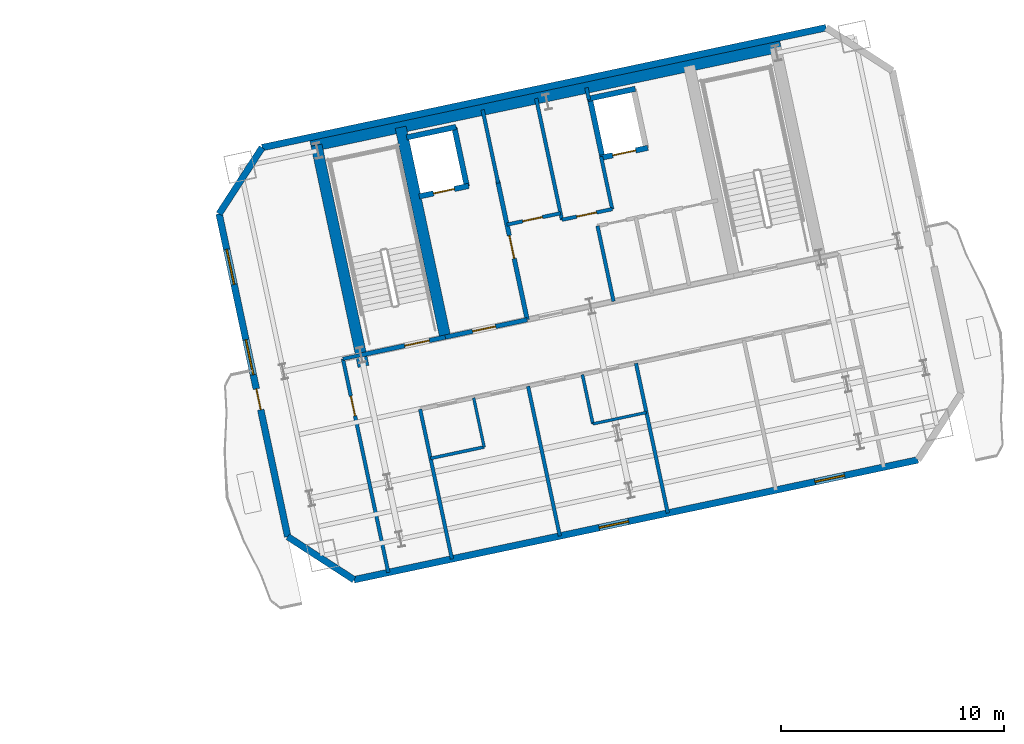
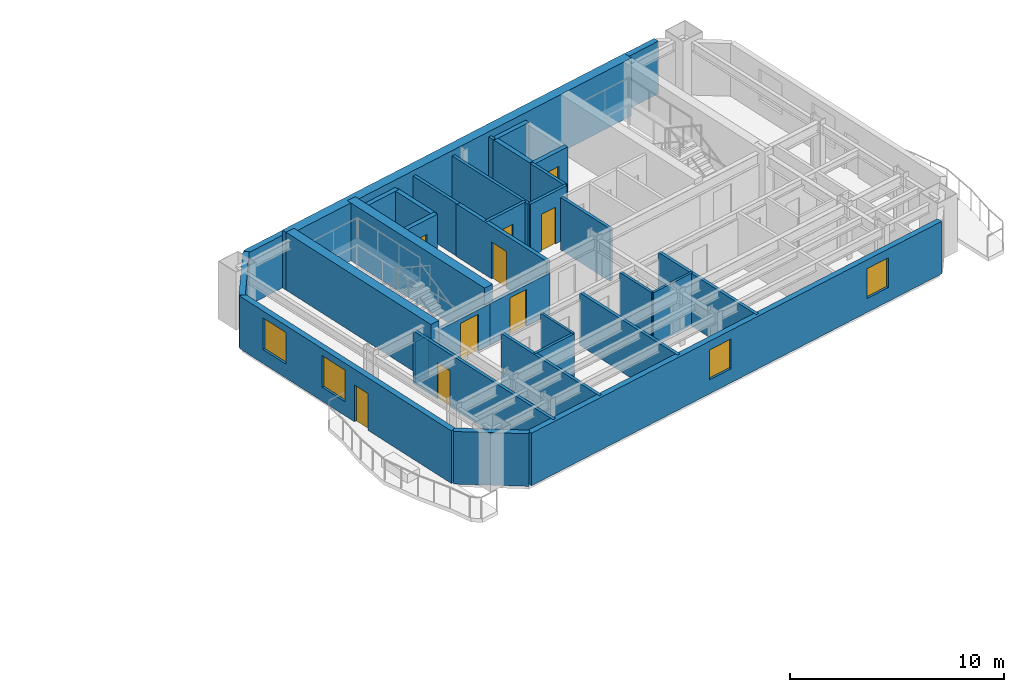
# One storey, part 7 of 13: 33 walls, 9 doors, 4 windows, 13 openings.
"""IFC4 building model written with IfcOpenShell, lengths in metres."""

from ifc_helpers import new_model, si_unit, direction, frame, frame_2d, origin, place, context, subcontext, project, spatial, rectangle, extrude, material, layer, layer_set, type_object, element, fill, save


model = new_model("IFC4")

# Units and contexts
model_context = context("Model", 3, precision=1e-05, world=origin(), true_north=direction((0.0, 1.0)))
body_context = subcontext(model_context, "Body", "Model", "MODEL_VIEW")
ifc_project = project(units=[si_unit("LENGTHUNIT", "METRE"), si_unit("AREAUNIT", "SQUARE_METRE"), si_unit("VOLUMEUNIT", "CUBIC_METRE"), si_unit("PLANEANGLEUNIT", "RADIAN"), si_unit("MASSUNIT", "GRAM", prefix="KILO")], contexts=[model_context])

# Site, building, storey
site_placement = place(None, origin())
site = spatial("IfcSite", under=ifc_project, at=site_placement, CompositionType="ELEMENT")
building_placement = place(site_placement, origin())
building = spatial("IfcBuilding", under=site, at=building_placement, Name="Haevon Station Towers", CompositionType="ELEMENT")
storey_placement = place(building_placement, frame((0.0, 0.0, 189.0)))
storey = spatial("IfcBuildingStorey", under=building, at=storey_placement, Name="L52", CompositionType="ELEMENT", Elevation=189.0)

# Wall, opening, door
ifc_material_1 = material(Name="Gypsum board on steel stud", Category="steel")
ifc_layer_1 = layer(ifc_material_1, 0.199951171875)
ifc_layer_set_1 = layer_set([ifc_layer_1], Name="Gypsum board on steel stud")
wall_type_1 = type_object("IfcWallType", Name="WL-COR200", PredefinedType="PARTITIONING", material=ifc_layer_set_1)
wall_1_placement = place(storey_placement, frame((98.75244140625, 37.4423828125, 0.0), z_axis=(0.0, 0.0, 1.0), x_axis=(0.978143537786, 0.207930804564, 0.0)))
wall_1 = element("IfcWall", 1, at=wall_1_placement, inside=storey, type_object=wall_type_1, Name="WL-ST-ST3-L52", PredefinedType="PARTITIONING", context=body_context, shape_type="SweptSolid", body=[
    extrude(rectangle(XDim=3.85009765625, YDim=0.199951171875, at=frame_2d((1.925048828125, 0.0))), origin(), (0.0, 0.0, 1.0), 2.35009765625),
])
opening_1_placement = place(wall_1_placement, frame((2.0, 0.0, 0.0)))
opening_1 = element("IfcOpeningElement", 2, at=opening_1_placement, cuts=wall_1, Name="Opening DR-ST-ST3-L52", PredefinedType="OPENING", context=body_context, shape_type="SweptSolid", body=[
    extrude(rectangle(XDim=1.1201171875, YDim=2.10009765625, at=frame_2d((0.56005859375, 1.050048828125))), frame((0.0, 0.10986328125, 0.0), z_axis=(0.0, -1.0, 0.0), x_axis=(1.0, 0.0, 0.0)), (0.0, 0.0, 1.0), 0.219970703125),
])
ifc_material_2 = material(Name="Engineered oak timber", Category="wood")
door_type_1 = type_object("IfcDoorType", Name="DR-ST-1120", OperationType="NOTDEFINED", PredefinedType="DOOR", material=ifc_material_2)
door_1_placement = place(opening_1_placement, origin())
door_1 = element("IfcDoor", 3, at=door_1_placement, inside=storey, type_object=door_type_1, Name="L52 Escape Stair ST3 Fire Door", OperationType="SINGLE_SWING_RIGHT", OverallHeight=2.10009765625, OverallWidth=1.1201171875, PredefinedType="DOOR", context=body_context, shape_type="SweptSolid", body=[
    extrude(rectangle(XDim=1.1201171875, YDim=2.10009765625, at=frame_2d((0.56005859375, 1.050048828125))), frame((0.0, 0.02490234375, 0.0), z_axis=(0.0, -1.0, 0.0), x_axis=(1.0, 0.0, 0.0)), (0.0, 0.0, 1.0), 0.050048828125),
])
fill(opening_1, door_1)

wall_2_placement = place(storey_placement, frame((106.186279296875, 39.0224609375, 0.0), z_axis=(0.0, 0.0, 1.0), x_axis=(-0.207916691923, 0.978146537703, 0.0)))
wall_2 = element("IfcWall", 4, at=wall_2_placement, inside=storey, type_object=wall_type_1, Name="WL-T2FFL-L52-E", PredefinedType="PARTITIONING", context=body_context, shape_type="SweptSolid", body=[
    extrude(rectangle(XDim=6.35009765625, YDim=0.199951171875, at=frame_2d((3.175048828125, 0.0))), origin(), (0.0, 0.0, 1.0), 3.0),
])
opening_2_placement = place(wall_2_placement, frame((2.800048828125, 0.0, 0.0)))
opening_2 = element("IfcOpeningElement", 5, at=opening_2_placement, cuts=wall_2, Name="Opening DR-T2FFL-L52-E", PredefinedType="OPENING", context=body_context, shape_type="SweptSolid", body=[
    extrude(rectangle(XDim=1.050048828125, YDim=2.10009765625, at=frame_2d((0.52490234375, 1.050048828125))), frame((0.0, 0.10986328125, 0.0), z_axis=(0.0, -1.0, 0.0), x_axis=(1.0, 0.0, 0.0)), (0.0, 0.0, 1.0), 0.219970703125),
])
door_type_2 = type_object("IfcDoorType", Name="DR-FD60-1050", OperationType="NOTDEFINED", PredefinedType="DOOR", material=ifc_material_2)
door_2_placement = place(opening_2_placement, origin())
door_2 = element("IfcDoor", 6, at=door_2_placement, inside=storey, type_object=door_type_2, Name="L52 Tower 2 Firefighting Lift Lobby Door E", OperationType="SINGLE_SWING_RIGHT", OverallHeight=2.10009765625, OverallWidth=1.050048828125, PredefinedType="DOOR", context=body_context, shape_type="SweptSolid", body=[
    extrude(rectangle(XDim=1.050048828125, YDim=2.10009765625, at=frame_2d((0.52490234375, 1.050048828125))), frame((0.0, 0.02490234375, 0.0), z_axis=(0.0, -1.0, 0.0), x_axis=(1.0, 0.0, 0.0)), (0.0, 0.0, 1.0), 0.050048828125),
])
fill(opening_2, door_2)

wall_3_placement = place(storey_placement, frame((102.518310546875, 38.242919921875, 0.0), z_axis=(0.0, 0.0, 1.0), x_axis=(0.978153555683, 0.20788367301, 0.0)))
wall_3 = element("IfcWall", 7, at=wall_3_placement, inside=storey, type_object=wall_type_1, Name="WL-T2FFL-L52-S", PredefinedType="PARTITIONING", context=body_context, shape_type="SweptSolid", body=[
    extrude(rectangle(XDim=3.75, YDim=0.199951171875, at=frame_2d((1.875, 0.0))), origin(), (0.0, 0.0, 1.0), 2.35009765625),
])
opening_3_placement = place(wall_3_placement, frame((1.25, 0.0, 0.0)))
opening_3 = element("IfcOpeningElement", 8, at=opening_3_placement, cuts=wall_3, Name="Opening DR-T2FFL-L52-S", PredefinedType="OPENING", context=body_context, shape_type="SweptSolid", body=[
    extrude(rectangle(XDim=1.050048828125, YDim=2.10009765625, at=frame_2d((0.52490234375, 1.050048828125))), frame((0.0, 0.10986328125, 0.0), z_axis=(0.0, -1.0, 0.0), x_axis=(1.0, 0.0, 0.0)), (0.0, 0.0, 1.0), 0.219970703125),
])
door_3_placement = place(opening_3_placement, origin())
door_3 = element("IfcDoor", 9, at=door_3_placement, inside=storey, type_object=door_type_2, Name="L52 Tower 2 Firefighting Lift Lobby Door S", OperationType="SINGLE_SWING_LEFT", OverallHeight=2.10009765625, OverallWidth=1.050048828125, PredefinedType="DOOR", context=body_context, shape_type="SweptSolid", body=[
    extrude(rectangle(XDim=1.050048828125, YDim=2.10009765625, at=frame_2d((0.52490234375, 1.050048828125))), frame((0.0, 0.02490234375, 0.0), z_axis=(0.0, -1.0, 0.0), x_axis=(1.0, 0.0, 0.0)), (0.0, 0.0, 1.0), 0.050048828125),
])
fill(opening_3, door_3)

# Walls
ifc_material_3 = material(Name="Concrete C60/75", Category="concrete")
ifc_layer_2 = layer(ifc_material_3, 0.5)
ifc_layer_set_2 = layer_set([ifc_layer_2], Name="Concrete C60/75")
wall_type_2 = type_object("IfcWallType", Name="WL-CR500", PredefinedType="SHEAR", material=ifc_layer_set_2)
wall_4_placement = place(storey_placement, frame((96.511962890625, 46.78076171875, 0.0), z_axis=(0.0, 0.0, 1.0), x_axis=(0.978148546782, 0.207907239961, 0.0)))
element("IfcWall", 10, at=wall_4_placement, inside=storey, type_object=wall_type_2, Name="WL-T2CR-L52-N", PredefinedType="SHEAR", context=body_context, shape_type="SweptSolid", body=[
    extrude(rectangle(XDim=21.499755859375, YDim=0.5, at=frame_2d((10.75, 0.0))), origin(), (0.0, 0.0, 1.0), 3.300048828125),
])
wall_5_placement = place(storey_placement, frame((98.8603515625, 36.933837890625, 0.0), z_axis=(0.0, 0.0, 1.0), x_axis=(-0.20790924889, 0.978148119778, 0.0)))
element("IfcWall", 11, at=wall_5_placement, inside=storey, type_object=wall_type_2, Name="WL-T2CR-L52-W", PredefinedType="SHEAR", context=body_context, shape_type="SweptSolid", body=[
    extrude(rectangle(XDim=10.119873046875, YDim=0.5, at=frame_2d((5.06005859375, 0.0))), origin(), (0.0, 0.0, 1.0), 3.300048828125),
])
wall_6_placement = place(storey_placement, frame((102.518310546875, 38.242919921875, 0.0), z_axis=(0.0, 0.0, 1.0), x_axis=(-0.207927495108, 0.978144241295, 0.0)))
element("IfcWall", 12, at=wall_6_placement, inside=storey, type_object=wall_type_2, Name="WL-T2CR-L52-M1", PredefinedType="SHEAR", context=body_context, shape_type="SweptSolid", body=[
    extrude(rectangle(XDim=9.599853515625, YDim=0.5, at=frame_2d((4.7998046875, 0.0))), origin(), (0.0, 0.0, 1.0), 3.300048828125),
])

# Wall, openings, windows
ifc_material_4 = material(Name="Precast concrete C45/55", Category="concrete")
ifc_layer_3 = layer(ifc_material_4, 0.300048828125)
ifc_layer_set_3 = layer_set([ifc_layer_3], Name="Precast concrete C45/55")
wall_type_3 = type_object("IfcWallType", Name="WL-EXT-PIER300", PredefinedType="SOLIDWALL", material=ifc_layer_set_3)
wall_7_placement = place(storey_placement, frame((123.67236328125, 32.7509765625, 0.0), z_axis=(0.0, 0.0, 1.0), x_axis=(-0.978148652743, -0.207906741442, 0.0)))
wall_7 = element("IfcWall", 13, at=wall_7_placement, inside=storey, type_object=wall_type_3, Name="WL-T2-L52-S", PredefinedType="SOLIDWALL", context=body_context, shape_type="SweptSolid", body=[
    extrude(rectangle(XDim=25.800048828125, YDim=0.300048828125, at=frame_2d((12.89990234375, 0.0))), origin(), (0.0, 0.0, 1.0), 3.0),
])
opening_4_placement = place(wall_7_placement, frame((13.23876953125, 0.0, 0.800048828125)))
opening_4 = element("IfcOpeningElement", 14, at=opening_4_placement, cuts=wall_7, Name="Opening WN-P135", PredefinedType="OPENING", context=body_context, shape_type="SweptSolid", body=[
    extrude(rectangle(XDim=1.35009765625, YDim=1.699951171875, at=frame_2d((0.675048828125, 0.85009765625))), frame((0.0, 0.159912109375, 0.0), z_axis=(0.0, -1.0, 0.0), x_axis=(1.0, 0.0, 0.0)), (0.0, 0.0, 1.0), 0.320068359375),
])
opening_5_placement = place(wall_7_placement, frame((3.36376953125, 0.0, 0.800048828125)))
opening_5 = element("IfcOpeningElement", 15, at=opening_5_placement, cuts=wall_7, Name="Opening WN-P135", PredefinedType="OPENING", context=body_context, shape_type="SweptSolid", body=[
    extrude(rectangle(XDim=1.35009765625, YDim=1.699951171875, at=frame_2d((0.675048828125, 0.85009765625))), frame((0.0, 0.159912109375, 0.0), z_axis=(0.0, -1.0, 0.0), x_axis=(1.0, 0.0, 0.0)), (0.0, 0.0, 1.0), 0.320068359375),
])
ifc_material_5 = material(Name="Low-E triple glazing in thermally broken aluminium", Category="aluminium")
window_type_1 = type_object("IfcWindowType", Name="WN-P135", PartitioningType="SINGLE_PANEL", PredefinedType="WINDOW", material=ifc_material_5)
window_1_placement = place(opening_4_placement, origin())
window_1 = element("IfcWindow", 16, at=window_1_placement, inside=storey, type_object=window_type_1, Name="WN-T2-L52-S01", OverallHeight=1.699951171875, OverallWidth=1.35009765625, PartitioningType="SINGLE_PANEL", PredefinedType="WINDOW", context=body_context, shape_type="SweptSolid", body=[
    extrude(rectangle(XDim=1.35009765625, YDim=1.699951171875, at=frame_2d((0.675048828125, 0.85009765625))), frame((0.0, 0.030029296875, 0.0), z_axis=(0.0, -1.0, 0.0), x_axis=(1.0, 0.0, 0.0)), (0.0, 0.0, 1.0), 0.06005859375),
])
fill(opening_4, window_1)
window_2_placement = place(opening_5_placement, origin())
window_2 = element("IfcWindow", 17, at=window_2_placement, inside=storey, type_object=window_type_1, Name="WN-T2-L52-S02", OverallHeight=1.699951171875, OverallWidth=1.35009765625, PartitioningType="SINGLE_PANEL", PredefinedType="WINDOW", context=body_context, shape_type="SweptSolid", body=[
    extrude(rectangle(XDim=1.35009765625, YDim=1.699951171875, at=frame_2d((0.675048828125, 0.85009765625))), frame((0.0, 0.030029296875, 0.0), z_axis=(0.0, -1.0, 0.0), x_axis=(1.0, 0.0, 0.0)), (0.0, 0.0, 1.0), 0.06005859375),
])
fill(opening_5, window_2)

# Wall
wall_8_placement = place(storey_placement, frame((98.43603515625, 27.386962890625, 0.0), z_axis=(0.0, 0.0, 1.0), x_axis=(-0.838672309694, 0.544636352948, 0.0)))
element("IfcWall", 18, at=wall_8_placement, inside=storey, type_object=wall_type_3, Name="WL-T2-L52-SWC", PredefinedType="SOLIDWALL", context=body_context, shape_type="SweptSolid", body=[
    extrude(rectangle(XDim=3.535400390625, YDim=0.300048828125, at=frame_2d((1.767578125, 0.0))), origin(), (0.0, 0.0, 1.0), 3.0),
])

# Wall, openings, door, windows
wall_9_placement = place(storey_placement, frame((95.470947265625, 29.3125, 0.0), z_axis=(0.0, 0.0, 1.0), x_axis=(-0.207907783045, 0.978148431348, 0.0)))
wall_9 = element("IfcWall", 19, at=wall_9_placement, inside=storey, type_object=wall_type_3, Name="WL-T2-L52-W", PredefinedType="SOLIDWALL", context=body_context, shape_type="SweptSolid", body=[
    extrude(rectangle(XDim=14.77001953125, YDim=0.300048828125, at=frame_2d((7.385009765625, 0.0))), origin(), (0.0, 0.0, 1.0), 3.0),
])
opening_6_placement = place(wall_9_placement, frame((5.81005859375, 0.0, 0.0)))
opening_6 = element("IfcOpeningElement", 20, at=opening_6_placement, cuts=wall_9, Name="Opening DR-T2-SCAL-L52-W", PredefinedType="OPENING", context=body_context, shape_type="SweptSolid", body=[
    extrude(rectangle(XDim=0.949951171875, YDim=2.10009765625, at=frame_2d((0.47509765625, 1.050048828125))), frame((0.0, 0.159912109375, 0.0), z_axis=(0.0, -1.0, 0.0), x_axis=(1.0, 0.0, 0.0)), (0.0, 0.0, 1.0), 0.320068359375),
])
opening_7_placement = place(wall_9_placement, frame((7.411376953125, 0.0, 0.800048828125)))
opening_7 = element("IfcOpeningElement", 21, at=opening_7_placement, cuts=wall_9, Name="Opening WN-END160", PredefinedType="OPENING", context=body_context, shape_type="SweptSolid", body=[
    extrude(rectangle(XDim=1.60009765625, YDim=1.800048828125, at=frame_2d((0.800048828125, 0.89990234375))), frame((0.0, 0.159912109375, 0.0), z_axis=(0.0, -1.0, 0.0), x_axis=(1.0, 0.0, 0.0)), (0.0, 0.0, 1.0), 0.320068359375),
])
opening_8_placement = place(wall_9_placement, frame((11.543701171875, 0.0, 0.800048828125)))
opening_8 = element("IfcOpeningElement", 22, at=opening_8_placement, cuts=wall_9, Name="Opening WN-END160", PredefinedType="OPENING", context=body_context, shape_type="SweptSolid", body=[
    extrude(rectangle(XDim=1.60009765625, YDim=1.800048828125, at=frame_2d((0.800048828125, 0.89990234375))), frame((0.0, 0.159912109375, 0.0), z_axis=(0.0, -1.0, 0.0), x_axis=(1.0, 0.0, 0.0)), (0.0, 0.0, 1.0), 0.320068359375),
])
ifc_material_6 = material(Name="Thermally broken anodised aluminium and laminated safety glass", Category="aluminium")
door_type_3 = type_object("IfcDoorType", Name="DR-BALC-950", OperationType="NOTDEFINED", PredefinedType="DOOR", material=ifc_material_6)
door_4_placement = place(opening_6_placement, origin())
door_4 = element("IfcDoor", 23, at=door_4_placement, inside=storey, type_object=door_type_3, Name="Tower 2 L52 West Scalloped Balcony Door", OperationType="SINGLE_SWING_RIGHT", OverallHeight=2.10009765625, OverallWidth=0.949951171875, PredefinedType="DOOR", context=body_context, shape_type="SweptSolid", body=[
    extrude(rectangle(XDim=0.949951171875, YDim=2.10009765625, at=frame_2d((0.47509765625, 1.050048828125))), frame((0.0, 0.02490234375, 0.0), z_axis=(0.0, -1.0, 0.0), x_axis=(1.0, 0.0, 0.0)), (0.0, 0.0, 1.0), 0.050048828125),
])
fill(opening_6, door_4)
window_type_2 = type_object("IfcWindowType", Name="WN-END160", PartitioningType="SINGLE_PANEL", PredefinedType="WINDOW", material=ifc_material_5)
window_3_placement = place(opening_7_placement, origin())
window_3 = element("IfcWindow", 24, at=window_3_placement, inside=storey, type_object=window_type_2, Name="WN-T2-L52-W01", OverallHeight=1.800048828125, OverallWidth=1.60009765625, PartitioningType="SINGLE_PANEL", PredefinedType="WINDOW", context=body_context, shape_type="SweptSolid", body=[
    extrude(rectangle(XDim=1.60009765625, YDim=1.800048828125, at=frame_2d((0.800048828125, 0.89990234375))), frame((0.0, 0.030029296875, 0.0), z_axis=(0.0, -1.0, 0.0), x_axis=(1.0, 0.0, 0.0)), (0.0, 0.0, 1.0), 0.06005859375),
])
fill(opening_7, window_3)
window_4_placement = place(opening_8_placement, origin())
window_4 = element("IfcWindow", 25, at=window_4_placement, inside=storey, type_object=window_type_2, Name="WN-T2-L52-W02", OverallHeight=1.800048828125, OverallWidth=1.60009765625, PartitioningType="SINGLE_PANEL", PredefinedType="WINDOW", context=body_context, shape_type="SweptSolid", body=[
    extrude(rectangle(XDim=1.60009765625, YDim=1.800048828125, at=frame_2d((0.800048828125, 0.89990234375))), frame((0.0, 0.030029296875, 0.0), z_axis=(0.0, -1.0, 0.0), x_axis=(1.0, 0.0, 0.0)), (0.0, 0.0, 1.0), 0.06005859375),
])
fill(opening_8, window_4)

# Walls
wall_10_placement = place(storey_placement, frame((92.400146484375, 43.759765625, 0.0), z_axis=(0.0, 0.0, 1.0), x_axis=(0.544636352948, 0.838672309694, 0.0)))
element("IfcWall", 26, at=wall_10_placement, inside=storey, type_object=wall_type_3, Name="WL-T2-L52-NWC", PredefinedType="SOLIDWALL", context=body_context, shape_type="SweptSolid", body=[
    extrude(rectangle(XDim=3.535400390625, YDim=0.300048828125, at=frame_2d((1.767578125, 0.0))), origin(), (0.0, 0.0, 1.0), 3.0),
])
wall_11_placement = place(storey_placement, frame((94.32568359375, 46.724853515625, 0.0), z_axis=(0.0, 0.0, 1.0), x_axis=(0.978146319248, 0.207917719645, 0.0)))
element("IfcWall", 27, at=wall_11_placement, inside=storey, type_object=wall_type_3, Name="WL-T2-L52-N", PredefinedType="SOLIDWALL", context=body_context, shape_type="SweptSolid", body=[
    extrude(rectangle(XDim=25.7998046875, YDim=0.300048828125, at=frame_2d((12.89990234375, 0.0))), origin(), (0.0, 0.0, 1.0), 3.0),
])
ifc_layer_4 = layer(ifc_material_1, 0.125)
ifc_layer_set_4 = layer_set([ifc_layer_4], Name="Gypsum board on steel stud")
wall_type_4 = type_object("IfcWallType", Name="WL-PRT125", PredefinedType="PARTITIONING", material=ifc_layer_set_4)
wall_12_placement = place(storey_placement, frame((104.25830078125, 33.3271484375, 0.0), z_axis=(0.0, 0.0, 1.0), x_axis=(-0.207891197838, 0.978151956427, 0.0)))
element("IfcWall", 28, at=wall_12_placement, inside=storey, type_object=wall_type_4, Name="WL-T2PT-L52-07", PredefinedType="PARTITIONING", context=body_context, shape_type="SweptSolid", body=[
    extrude(rectangle(XDim=2.25, YDim=0.125, at=frame_2d((1.125, 0.0))), origin(), (0.0, 0.0, 1.0), 3.0),
])
wall_13_placement = place(storey_placement, frame((109.12451171875, 34.361572265625, 0.0), z_axis=(0.0, 0.0, 1.0), x_axis=(0.978136559131, 0.207963630695, 0.0)))
element("IfcWall", 29, at=wall_13_placement, inside=storey, type_object=wall_type_4, Name="WL-T2PT-L52-09", PredefinedType="PARTITIONING", context=body_context, shape_type="SweptSolid", body=[
    extrude(rectangle(XDim=2.449951171875, YDim=0.125, at=frame_2d((1.22509765625, 0.0))), origin(), (0.0, 0.0, 1.0), 3.0),
])
ifc_layer_5 = layer(ifc_material_1, 0.139892578125)
ifc_layer_set_5 = layer_set([ifc_layer_5], Name="Gypsum board on steel stud")
wall_type_5 = type_object("IfcWallType", Name="WL-PRT140", PredefinedType="PARTITIONING", material=ifc_layer_set_5)
wall_14_placement = place(storey_placement, frame((101.86181640625, 32.81787109375, 0.0), z_axis=(0.0, 0.0, 1.0), x_axis=(0.978156824814, 0.207868290196, 0.0)))
element("IfcWall", 30, at=wall_14_placement, inside=storey, type_object=wall_type_5, Name="WL-T2PT-L52-06", PredefinedType="PARTITIONING", context=body_context, shape_type="SweptSolid", body=[
    extrude(rectangle(XDim=2.449951171875, YDim=0.139892578125, at=frame_2d((1.22509765625, 0.0))), origin(), (0.0, 0.0, 1.0), 3.0),
])
wall_15_placement = place(storey_placement, frame((109.12451171875, 34.361572265625, 0.0), z_axis=(0.0, 0.0, 1.0), x_axis=(-0.207891197838, 0.978151956427, 0.0)))
element("IfcWall", 31, at=wall_15_placement, inside=storey, type_object=wall_type_5, Name="WL-T2PT-L52-10", PredefinedType="PARTITIONING", context=body_context, shape_type="SweptSolid", body=[
    extrude(rectangle(XDim=2.25, YDim=0.139892578125, at=frame_2d((1.125, 0.0))), origin(), (0.0, 0.0, 1.0), 3.0),
])
ifc_layer_6 = layer(ifc_material_1, 0.159912109375)
ifc_layer_set_6 = layer_set([ifc_layer_6], Name="Gypsum board on steel stud")
wall_type_6 = type_object("IfcWallType", Name="WL-PRT160", PredefinedType="PARTITIONING", material=ifc_layer_set_6)
wall_16_placement = place(storey_placement, frame((104.88671875, 45.135986328125, 0.0), z_axis=(0.0, 0.0, 1.0), x_axis=(-0.207846553267, 0.978161443881, 0.0)))
element("IfcWall", 32, at=wall_16_placement, inside=storey, type_object=wall_type_6, Name="WL-T2CW-L52-01", PredefinedType="PARTITIONING", context=body_context, shape_type="SweptSolid", body=[
    extrude(rectangle(XDim=3.35009765625, YDim=0.159912109375, at=frame_2d((1.675048828125, 0.0))), origin(), (0.0, 0.0, 1.0), 3.0),
])

# Wall, opening, door
wall_17_placement = place(storey_placement, frame((105.28173828125, 43.277587890625, 0.0), z_axis=(0.0, 0.0, 1.0), x_axis=(0.978156824814, 0.207868290196, 0.0)))
wall_17 = element("IfcWall", 33, at=wall_17_placement, inside=storey, type_object=wall_type_6, Name="WL-T2CW-L52-02", PredefinedType="PARTITIONING", context=body_context, shape_type="SweptSolid", body=[
    extrude(rectangle(XDim=2.449951171875, YDim=0.159912109375, at=frame_2d((1.22509765625, 0.0))), origin(), (0.0, 0.0, 1.0), 3.0),
])
opening_9_placement = place(wall_17_placement, frame((0.719970703125, 0.0, 0.0)))
opening_9 = element("IfcOpeningElement", 34, at=opening_9_placement, cuts=wall_17, Name="Opening DR-WL-T2CW-L52-02-1", PredefinedType="OPENING", context=body_context, shape_type="SweptSolid", body=[
    extrude(rectangle(XDim=0.89990234375, YDim=2.10009765625, at=frame_2d((0.449951171875, 1.050048828125))), frame((0.0, 0.08984375, 0.0), z_axis=(0.0, -1.0, 0.0), x_axis=(1.0, 0.0, 0.0)), (0.0, 0.0, 1.0), 0.179931640625),
])
door_type_4 = type_object("IfcDoorType", Name="DR-FD60-900", OperationType="NOTDEFINED", PredefinedType="DOOR", material=ifc_material_2)
door_5_placement = place(opening_9_placement, origin())
door_5 = element("IfcDoor", 35, at=door_5_placement, inside=storey, type_object=door_type_4, Name="L52 Tower 2 Core Room Door 2-1", OperationType="SINGLE_SWING_LEFT", OverallHeight=2.10009765625, OverallWidth=0.89990234375, PredefinedType="DOOR", context=body_context, shape_type="SweptSolid", body=[
    extrude(rectangle(XDim=0.89990234375, YDim=2.10009765625, at=frame_2d((0.449951171875, 1.050048828125))), frame((0.0, 0.02490234375, 0.0), z_axis=(0.0, -1.0, 0.0), x_axis=(1.0, 0.0, 0.0)), (0.0, 0.0, 1.0), 0.050048828125),
])
fill(opening_9, door_5)

# Wall
wall_18_placement = place(storey_placement, frame((107.74072265625, 43.493408203125, 0.0), z_axis=(0.0, 0.0, 1.0), x_axis=(-0.207936619013, 0.97814230175, 0.0)))
element("IfcWall", 36, at=wall_18_placement, inside=storey, type_object=wall_type_6, Name="WL-T2CW-L52-03", PredefinedType="PARTITIONING", context=body_context, shape_type="SweptSolid", body=[
    extrude(rectangle(XDim=5.550048828125, YDim=0.159912109375, at=frame_2d((2.77490234375, 0.0))), origin(), (0.0, 0.0, 1.0), 3.0),
])

# Wall, opening, door
wall_19_placement = place(storey_placement, frame((107.74072265625, 43.493408203125, 0.0), z_axis=(0.0, 0.0, 1.0), x_axis=(0.978141312374, 0.207941273027, 0.0)))
wall_19 = element("IfcWall", 37, at=wall_19_placement, inside=storey, type_object=wall_type_6, Name="WL-T2CW-L52-04", PredefinedType="PARTITIONING", context=body_context, shape_type="SweptSolid", body=[
    extrude(rectangle(XDim=2.300048828125, YDim=0.159912109375, at=frame_2d((1.14990234375, 0.0))), origin(), (0.0, 0.0, 1.0), 3.0),
])
opening_10_placement = place(wall_19_placement, frame((0.679931640625, 0.0, 0.0)))
opening_10 = element("IfcOpeningElement", 38, at=opening_10_placement, cuts=wall_19, Name="Opening DR-WL-T2CW-L52-04-1", PredefinedType="OPENING", context=body_context, shape_type="SweptSolid", body=[
    extrude(rectangle(XDim=0.89990234375, YDim=2.10009765625, at=frame_2d((0.449951171875, 1.050048828125))), frame((0.0, 0.08984375, 0.0), z_axis=(0.0, -1.0, 0.0), x_axis=(1.0, 0.0, 0.0)), (0.0, 0.0, 1.0), 0.179931640625),
])
door_6_placement = place(opening_10_placement, origin())
door_6 = element("IfcDoor", 39, at=door_6_placement, inside=storey, type_object=door_type_4, Name="L52 Tower 2 Core Room Door 4-1", OperationType="SINGLE_SWING_RIGHT", OverallHeight=2.10009765625, OverallWidth=0.89990234375, PredefinedType="DOOR", context=body_context, shape_type="SweptSolid", body=[
    extrude(rectangle(XDim=0.89990234375, YDim=2.10009765625, at=frame_2d((0.449951171875, 1.050048828125))), frame((0.0, 0.02490234375, 0.0), z_axis=(0.0, -1.0, 0.0), x_axis=(1.0, 0.0, 0.0)), (0.0, 0.0, 1.0), 0.050048828125),
])
fill(opening_10, door_6)

# Walls
wall_20_placement = place(storey_placement, frame((109.990478515625, 43.9716796875, 0.0), z_axis=(0.0, 0.0, 1.0), x_axis=(-0.207937840262, 0.978142042133, 0.0)))
element("IfcWall", 40, at=wall_20_placement, inside=storey, type_object=wall_type_6, Name="WL-T2CW-L52-05", PredefinedType="PARTITIONING", context=body_context, shape_type="SweptSolid", body=[
    extrude(rectangle(XDim=2.39990234375, YDim=0.159912109375, at=frame_2d((1.199951171875, 0.0))), origin(), (0.0, 0.0, 1.0), 3.0),
])
wall_21_placement = place(storey_placement, frame((108.950927734375, 48.8623046875, 0.0), z_axis=(0.0, 0.0, 1.0), x_axis=(-0.208134744237, 0.978100162683, 0.0)))
element("IfcWall", 41, at=wall_21_placement, inside=storey, type_object=wall_type_6, Name="WL-T2CW-L52-06", PredefinedType="PARTITIONING", context=body_context, shape_type="SweptSolid", body=[
    extrude(rectangle(XDim=0.550048828125, YDim=0.159912109375, at=frame_2d((0.27490234375, 0.0))), origin(), (0.0, 0.0, 1.0), 3.0),
])
wall_22_placement = place(storey_placement, frame((110.050048828125, 39.84375, 0.0), z_axis=(0.0, 0.0, 1.0), x_axis=(-0.207900225061, 0.978150037785, 0.0)))
element("IfcWall", 42, at=wall_22_placement, inside=storey, type_object=wall_type_6, Name="WL-T2CW-L52-07", PredefinedType="PARTITIONING", context=body_context, shape_type="SweptSolid", body=[
    extrude(rectangle(XDim=3.4501953125, YDim=0.159912109375, at=frame_2d((1.72509765625, 0.0))), origin(), (0.0, 0.0, 1.0), 3.0),
])
wall_23_placement = place(storey_placement, frame((102.818115234375, 28.318359375, 0.0), z_axis=(0.0, 0.0, 1.0), x_axis=(-0.207897972701, 0.978150516509, 0.0)))
element("IfcWall", 43, at=wall_23_placement, inside=storey, type_object=wall_type_6, Name="WL-T2PT-L52-01", PredefinedType="PARTITIONING", context=body_context, shape_type="SweptSolid", body=[
    extrude(rectangle(XDim=6.849853515625, YDim=0.159912109375, at=frame_2d((3.4248046875, 0.0))), origin(), (0.0, 0.0, 1.0), 3.0),
])
wall_24_placement = place(storey_placement, frame((97.9404296875, 37.269775390625, 0.0), z_axis=(0.0, 0.0, 1.0), x_axis=(0.978145395179, 0.207922066865, 0.0)))
element("IfcWall", 44, at=wall_24_placement, inside=storey, type_object=wall_type_6, Name="WL-T2PT-L52-02", PredefinedType="PARTITIONING", context=body_context, shape_type="SweptSolid", body=[
    extrude(rectangle(XDim=0.830078125, YDim=0.159912109375, at=frame_2d((0.4150390625, 0.0))), origin(), (0.0, 0.0, 1.0), 2.35009765625),
])

# Wall, opening, door
wall_25_placement = place(storey_placement, frame((99.9716796875, 27.71337890625, 0.0), z_axis=(0.0, 0.0, 1.0), x_axis=(-0.207909264222, 0.97814811652, 0.0)))
wall_25 = element("IfcWall", 45, at=wall_25_placement, inside=storey, type_object=wall_type_6, Name="WL-T2PT-L52-04", PredefinedType="PARTITIONING", context=body_context, shape_type="SweptSolid", body=[
    extrude(rectangle(XDim=9.769775390625, YDim=0.159912109375, at=frame_2d((4.884765625, 0.0))), origin(), (0.0, 0.0, 1.0), 3.0),
])
opening_11_placement = place(wall_25_placement, frame((7.169921875, 0.0, 0.0)))
opening_11 = element("IfcOpeningElement", 46, at=opening_11_placement, cuts=wall_25, Name="Opening DR-WL-T2PT-L52-04-01", PredefinedType="OPENING", context=body_context, shape_type="SweptSolid", body=[
    extrude(rectangle(XDim=0.89990234375, YDim=2.050048828125, at=frame_2d((0.449951171875, 1.02490234375))), frame((0.0, 0.08984375, 0.0), z_axis=(0.0, -1.0, 0.0), x_axis=(1.0, 0.0, 0.0)), (0.0, 0.0, 1.0), 0.179931640625),
])
door_type_5 = type_object("IfcDoorType", Name="DR-INT-900", OperationType="NOTDEFINED", PredefinedType="DOOR", material=ifc_material_2)
door_7_placement = place(opening_11_placement, origin())
door_7 = element("IfcDoor", 47, at=door_7_placement, inside=storey, type_object=door_type_5, Name="L52 Tower 2 Room Door 4-1", OperationType="SINGLE_SWING_RIGHT", OverallHeight=2.050048828125, OverallWidth=0.89990234375, PredefinedType="DOOR", context=body_context, shape_type="SweptSolid", body=[
    extrude(rectangle(XDim=0.89990234375, YDim=2.050048828125, at=frame_2d((0.449951171875, 1.02490234375))), frame((0.0, 0.02490234375, 0.0), z_axis=(0.0, -1.0, 0.0), x_axis=(1.0, 0.0, 0.0)), (0.0, 0.0, 1.0), 0.050048828125),
])
fill(opening_11, door_7)

# Walls
for number, where, z_axis, x_axis, name in (
    (48, (107.647705078125, 29.344970703125, 0.0), (0.0, 0.0, 1.0), (-0.207897972701, 0.978150516509, 0.0), "WL-T2PT-L52-08"),
    (49, (112.477294921875, 30.37158203125, 0.0), (0.0, 0.0, 1.0), (-0.207897972701, 0.978150516509, 0.0), "WL-T2PT-L52-11"),
):
    element("IfcWall", number, at=place(storey_placement, frame(where, z_axis=z_axis, x_axis=x_axis)), inside=storey, type_object=wall_type_6, Name=name, PredefinedType="PARTITIONING", context=body_context, shape_type="SweptSolid", body=[
        extrude(rectangle(XDim=6.849853515625, YDim=0.159912109375, at=frame_2d((3.4248046875, 0.0))), origin(), (0.0, 0.0, 1.0), 3.0),
    ])

# Wall, opening, door
ifc_material_7 = material(Name="Concrete C40/50", Category="concrete")
ifc_layer_7 = layer(ifc_material_7, 0.239990234375)
ifc_layer_set_7 = layer_set([ifc_layer_7], Name="Concrete C40/50")
wall_type_7 = type_object("IfcWallType", Name="WL-SHF240", PredefinedType="PARTITIONING", material=ifc_layer_set_7)
wall_26_placement = place(storey_placement, frame((101.353759765625, 44.538330078125, 0.0), z_axis=(0.0, 0.0, 1.0), x_axis=(0.978141002414, 0.207942731049, 0.0)))
wall_26 = element("IfcWall", 50, at=wall_26_placement, inside=storey, type_object=wall_type_7, Name="WL-SHF-FL2-L52", PredefinedType="PARTITIONING", context=body_context, shape_type="SweptSolid", body=[
    extrude(rectangle(XDim=2.260009765625, YDim=0.239990234375, at=frame_2d((1.1298828125, 0.0))), origin(), (0.0, 0.0, 1.0), 3.0),
])
opening_12_placement = place(wall_26_placement, frame((0.655029296875, 0.0, 0.0)))
opening_12 = element("IfcOpeningElement", 51, at=opening_12_placement, cuts=wall_26, Name="Opening LD-FL2-L52", PredefinedType="OPENING", context=body_context, shape_type="SweptSolid", body=[
    extrude(rectangle(XDim=0.949951171875, YDim=2.14990234375, at=frame_2d((0.47509765625, 1.074951171875))), frame((0.0, 0.1298828125, 0.0), z_axis=(0.0, -1.0, 0.0), x_axis=(1.0, 0.0, 0.0)), (0.0, 0.0, 1.0), 0.260009765625),
])
ifc_material_8 = material(Name="Stainless steel and rated core", Category="steel")
door_type_6 = type_object("IfcDoorType", Name="LD-FL950", OperationType="SLIDING_TO_LEFT", PredefinedType="DOOR", material=ifc_material_8)
door_8_placement = place(opening_12_placement, origin())
door_8 = element("IfcDoor", 52, at=door_8_placement, inside=storey, type_object=door_type_6, Name="L52 Lift FL2 Sliding Landing Door", OperationType="SLIDING_TO_LEFT", OverallHeight=2.14990234375, OverallWidth=0.949951171875, PredefinedType="DOOR", context=body_context, shape_type="SweptSolid", body=[
    extrude(rectangle(XDim=0.949951171875, YDim=2.14990234375, at=frame_2d((0.47509765625, 1.074951171875))), frame((0.0, 0.02490234375, 0.0), z_axis=(0.0, -1.0, 0.0), x_axis=(1.0, 0.0, 0.0)), (0.0, 0.0, 1.0), 0.050048828125),
])
fill(opening_12, door_8)

# Walls
wall_27_placement = place(storey_placement, frame((100.79248046875, 47.179443359375, 0.0), z_axis=(0.0, 0.0, 1.0), x_axis=(0.978162968872, 0.207839376268, 0.0)))
element("IfcWall", 53, at=wall_27_placement, inside=storey, type_object=wall_type_7, Name="WL-SHF-FL2-L52-N", PredefinedType="PARTITIONING", context=body_context, shape_type="SweptSolid", body=[
    extrude(rectangle(XDim=2.260009765625, YDim=0.239990234375, at=frame_2d((1.1298828125, 0.0))), origin(), (0.0, 0.0, 1.0), 3.0),
])
wall_28_placement = place(storey_placement, frame((103.486328125, 44.99169921875, 0.0), z_axis=(0.0, 0.0, 1.0), x_axis=(-0.207978798957, 0.978133334052, 0.0)))
element("IfcWall", 54, at=wall_28_placement, inside=storey, type_object=wall_type_7, Name="WL-SHF-FL2-L52-E", PredefinedType="PARTITIONING", context=body_context, shape_type="SweptSolid", body=[
    extrude(rectangle(XDim=2.699951171875, YDim=0.239990234375, at=frame_2d((1.35009765625, 0.0))), origin(), (0.0, 0.0, 1.0), 3.0),
])

# Wall, opening, door
wall_29_placement = place(storey_placement, frame((109.472412109375, 46.263916015625, 0.0), z_axis=(0.0, 0.0, 1.0), x_axis=(0.97813528961, 0.207969601673, 0.0)))
wall_29 = element("IfcWall", 55, at=wall_29_placement, inside=storey, type_object=wall_type_7, Name="WL-SHF-PL9-L52", PredefinedType="PARTITIONING", context=body_context, shape_type="SweptSolid", body=[
    extrude(rectangle(XDim=2.159912109375, YDim=0.239990234375, at=frame_2d((1.080078125, 0.0))), origin(), (0.0, 0.0, 1.0), 3.0),
])
opening_13_placement = place(wall_29_placement, frame((0.554931640625, 0.0, 0.0)))
opening_13 = element("IfcOpeningElement", 56, at=opening_13_placement, cuts=wall_29, Name="Opening LD-PL9-L52", PredefinedType="OPENING", context=body_context, shape_type="SweptSolid", body=[
    extrude(rectangle(XDim=1.050048828125, YDim=2.14990234375, at=frame_2d((0.52490234375, 1.074951171875))), frame((0.0, 0.1298828125, 0.0), z_axis=(0.0, -1.0, 0.0), x_axis=(1.0, 0.0, 0.0)), (0.0, 0.0, 1.0), 0.260009765625),
])
door_type_7 = type_object("IfcDoorType", Name="LD-PL1050", OperationType="SLIDING_TO_LEFT", PredefinedType="DOOR", material=ifc_material_8)
door_9_placement = place(opening_13_placement, origin())
door_9 = element("IfcDoor", 57, at=door_9_placement, inside=storey, type_object=door_type_7, Name="L52 Lift PL9 Sliding Landing Door", OperationType="SLIDING_TO_LEFT", OverallHeight=2.14990234375, OverallWidth=1.050048828125, PredefinedType="DOOR", context=body_context, shape_type="SweptSolid", body=[
    extrude(rectangle(XDim=1.050048828125, YDim=2.14990234375, at=frame_2d((0.52490234375, 1.074951171875))), frame((0.0, 0.02490234375, 0.0), z_axis=(0.0, -1.0, 0.0), x_axis=(1.0, 0.0, 0.0)), (0.0, 0.0, 1.0), 0.050048828125),
])
fill(opening_13, door_9)

# Walls
wall_30_placement = place(storey_placement, frame((108.9111328125, 48.905029296875, 0.0), z_axis=(0.0, 0.0, 1.0), x_axis=(0.978158276388, 0.207861459473, 0.0)))
element("IfcWall", 58, at=wall_30_placement, inside=storey, type_object=wall_type_7, Name="WL-SHF-PL9-L52-N", PredefinedType="PARTITIONING", context=body_context, shape_type="SweptSolid", body=[
    extrude(rectangle(XDim=2.159912109375, YDim=0.239990234375, at=frame_2d((1.080078125, 0.0))), origin(), (0.0, 0.0, 1.0), 3.0),
])
wall_31_placement = place(storey_placement, frame((109.55078125, 46.28076171875, 0.0), z_axis=(0.0, 0.0, 1.0), x_axis=(-0.207892282326, 0.978151725935, 0.0)))
element("IfcWall", 59, at=wall_31_placement, inside=storey, type_object=wall_type_7, Name="WL-SHF-PL9-L52-W", PredefinedType="PARTITIONING", context=body_context, shape_type="SweptSolid", body=[
    extrude(rectangle(XDim=2.699951171875, YDim=0.239990234375, at=frame_2d((1.35009765625, 0.0))), origin(), (0.0, 0.0, 1.0), 3.0),
])

save(model, "model.ifc")
